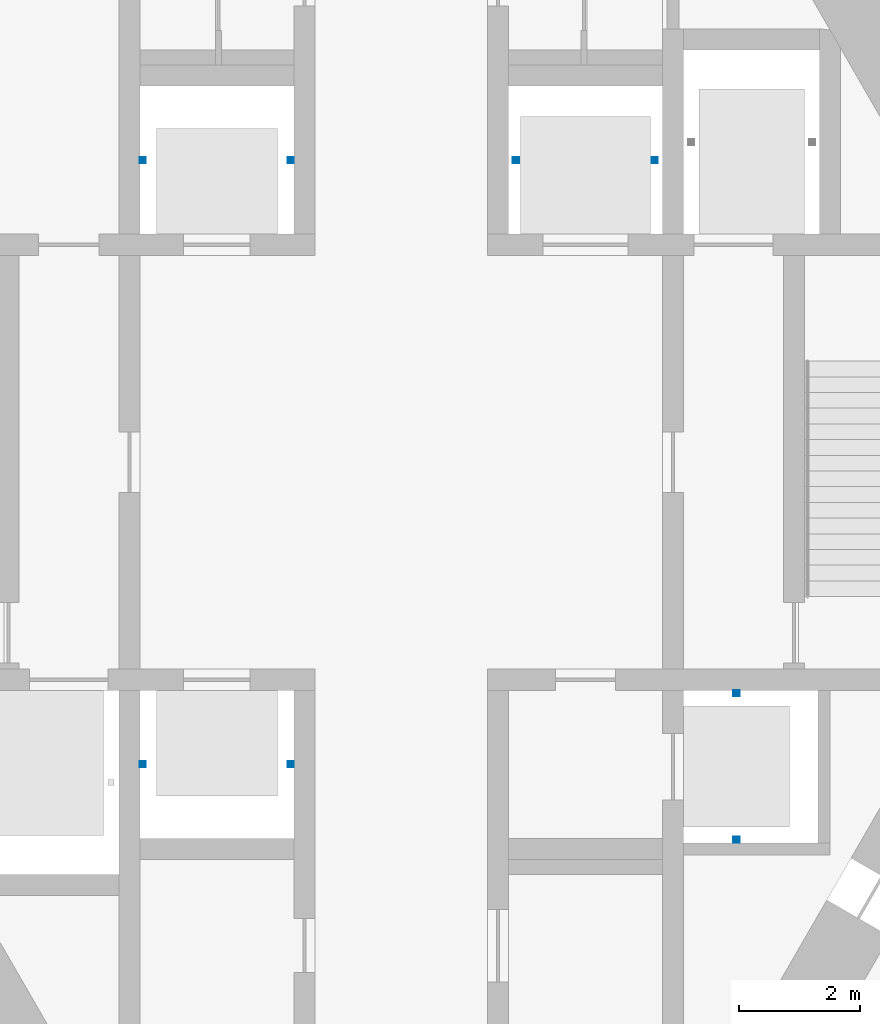
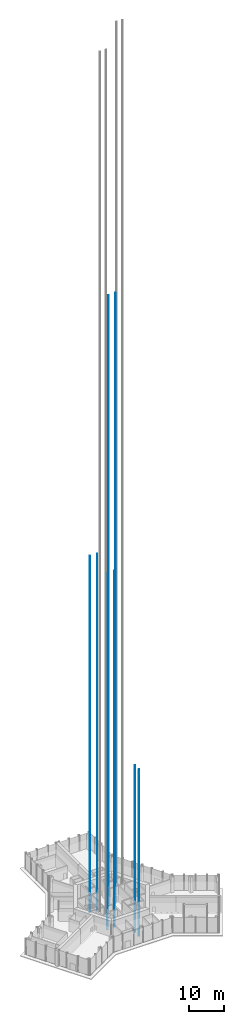
# One storey, part 15 of 18: 4 discrete accessories.
"""IFC4 building model written with IfcOpenShell, lengths in metres."""

from ifc_helpers import new_model, si_unit, direction, frame, origin, origin_2d, place, context, subcontext, project, spatial, rectangle, extrude, material, type_object, element, save


model = new_model("IFC4")

# Units and contexts
model_context = context("Model", 3, precision=1e-05, world=origin(), true_north=direction((0.0, 1.0)))
body_context = subcontext(model_context, "Body", "Model", "MODEL_VIEW")
ifc_project = project(units=[si_unit("LENGTHUNIT", "METRE"), si_unit("AREAUNIT", "SQUARE_METRE"), si_unit("VOLUMEUNIT", "CUBIC_METRE"), si_unit("PLANEANGLEUNIT", "RADIAN"), si_unit("MASSUNIT", "GRAM", prefix="KILO")], contexts=[model_context])

# Site, building, storey
site_placement = place(None, origin())
site = spatial("IfcSite", under=ifc_project, at=site_placement, CompositionType="ELEMENT")
building_placement = place(site_placement, origin())
building = spatial("IfcBuilding", under=site, at=building_placement, Name="Kasaneha Research Tower", CompositionType="ELEMENT")
storey_placement = place(building_placement, origin())
storey = spatial("IfcBuildingStorey", under=building, at=storey_placement, Name="L01", CompositionType="ELEMENT", Elevation=0.0)

# Discrete accessories
ifc_material = material(Name="Steel SN400B", Category="steel")
discrete_accessory_type = type_object("IfcDiscreteAccessoryType", Name="Lift guide rail 100x100", PredefinedType="USERDEFINED", material=ifc_material)
discrete_accessory_1_placement = place(storey_placement, origin())
element("IfcDiscreteAccessory", 1, at=discrete_accessory_1_placement, inside=storey, type_object=discrete_accessory_type, Name="Lift PL1 guide rails", ObjectType="GUIDE RAIL", PredefinedType="USERDEFINED", context=body_context, shape_type="SweptSolid", body=[
    extrude(rectangle(XDim=0.10009765625, YDim=0.10009765625, at=origin_2d()), frame((5.550048828125, -6.25, -6.5498046875)), (0.0, 0.0, 1.0), 58.300048828125),
    extrude(rectangle(XDim=0.10009765625, YDim=0.10009765625, at=origin_2d()), frame((5.550048828125, -3.824951171875, -6.5498046875)), (0.0, 0.0, 1.0), 58.300048828125),
])
discrete_accessory_2_placement = place(storey_placement, origin())
element("IfcDiscreteAccessory", 2, at=discrete_accessory_2_placement, inside=storey, type_object=discrete_accessory_type, Name="Lift LO1 guide rails", ObjectType="GUIDE RAIL", PredefinedType="USERDEFINED", context=body_context, shape_type="SweptSolid", body=[
    extrude(rectangle(XDim=0.10009765625, YDim=0.10009765625, at=origin_2d()), frame((-4.27490234375, 5.0, -1.5498046875)), (0.0, 0.0, 1.0), 124.800048828125),
    extrude(rectangle(XDim=0.10009765625, YDim=0.10009765625, at=origin_2d()), frame((-1.824951171875, 5.0, -1.5498046875)), (0.0, 0.0, 1.0), 124.800048828125),
])
discrete_accessory_3_placement = place(storey_placement, origin())
element("IfcDiscreteAccessory", 3, at=discrete_accessory_3_placement, inside=storey, type_object=discrete_accessory_type, Name="Lift LO2 guide rails", ObjectType="GUIDE RAIL", PredefinedType="USERDEFINED", context=body_context, shape_type="SweptSolid", body=[
    extrude(rectangle(XDim=0.10009765625, YDim=0.10009765625, at=origin_2d()), frame((-4.27490234375, -5.0, -1.5498046875)), (0.0, 0.0, 1.0), 124.800048828125),
    extrude(rectangle(XDim=0.10009765625, YDim=0.10009765625, at=origin_2d()), frame((-1.824951171875, -5.0, -1.5498046875)), (0.0, 0.0, 1.0), 124.800048828125),
])
discrete_accessory_4_placement = place(storey_placement, origin())
element("IfcDiscreteAccessory", 4, at=discrete_accessory_4_placement, inside=storey, type_object=discrete_accessory_type, Name="Lift SH1 guide rails", ObjectType="GUIDE RAIL", PredefinedType="USERDEFINED", context=body_context, shape_type="SweptSolid", body=[
    extrude(rectangle(XDim=0.10009765625, YDim=0.10009765625, at=origin_2d()), frame((1.89990234375, 5.0, -1.550048828125)), (0.0, 0.0, 1.0), 214.10009765625),
    extrude(rectangle(XDim=0.10009765625, YDim=0.10009765625, at=origin_2d()), frame((4.199951171875, 5.0, -1.550048828125)), (0.0, 0.0, 1.0), 214.10009765625),
])

save(model, "model.ifc")
